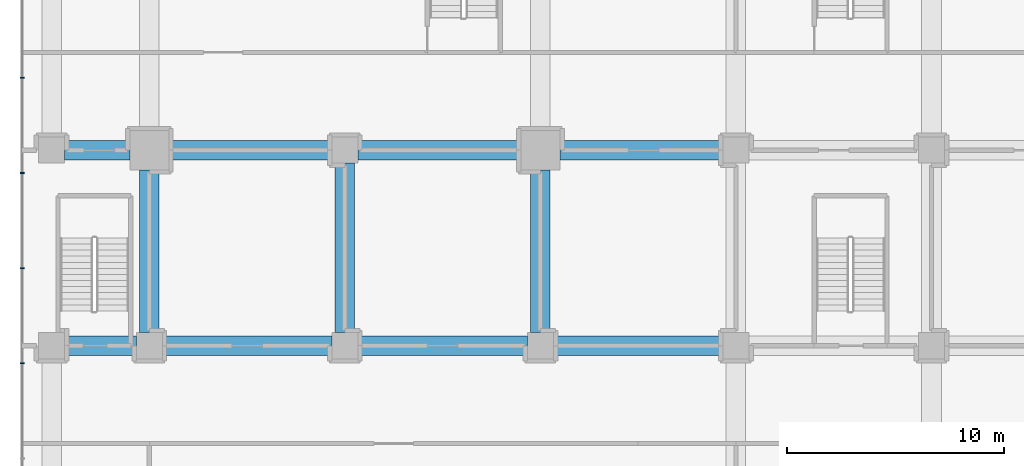
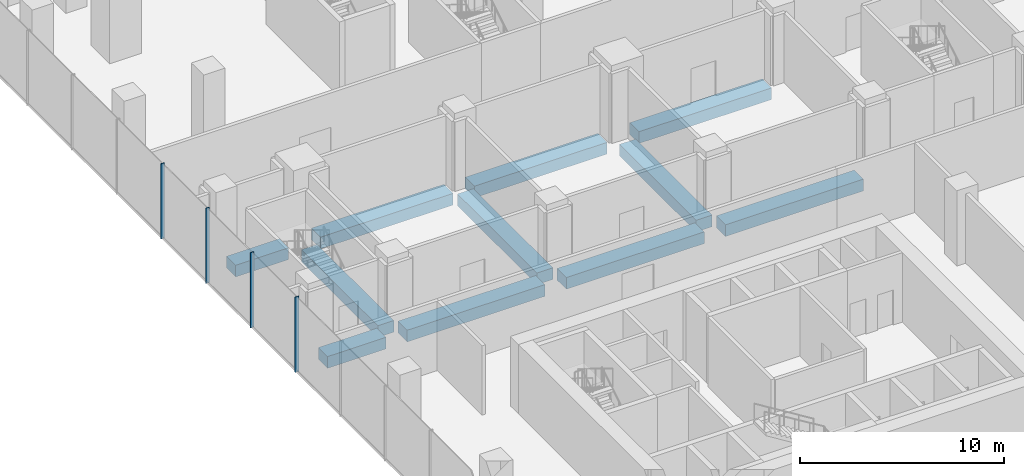
# One storey, part 10 of 43: 11 beams, 4 members, 1 element without a shape of its own.
"""IFC4 building model written with IfcOpenShell, lengths in metres."""

import ifcopenshell
import ifcopenshell.guid

model = None  # the IFC model being written
_history = None  # IfcOwnerHistory: only IFC2X3 demands one
_inside = {}  # id of a spatial element -> (the spatial element, [elements in it])
_under = {}  # id of a project, library or spatial element -> (it, [spatial elements below it])
_declared = {}  # id of a project -> (the project, [libraries it declares])
_typed = {}  # id of a type object -> (the type object, [elements of that type])
_made_of = {}  # id of a material, layer set ... -> (it, [elements and type objects made of it])


def new_model(schema):
    """Start an empty IFC model of exactly this schema.

    Asked for "IFC4X3", IfcOpenShell would pick the latest addendum, in which some entities
    have other attributes; the version numbers below select the first issue.
    IFC2X3 requires an IfcOwnerHistory on every rooted entity: one is made here for all.
    """
    global model, _history
    if schema == "IFC4X3":
        model = ifcopenshell.file(schema_version=(4, 3, 0, 0))
    else:
        model = ifcopenshell.file(schema=schema)
    _inside.clear()
    _under.clear()
    _declared.clear()
    _typed.clear()
    _made_of.clear()
    _history = None
    if model.schema == "IFC2X3":
        org = make("IfcOrganization", Name="unknown")
        user = make(
            "IfcPersonAndOrganization",
            ThePerson=make("IfcPerson", FamilyName="unknown"),
            TheOrganization=org,
        )
        app = make(
            "IfcApplication",
            ApplicationDeveloper=org,
            Version="unknown",
            ApplicationFullName="unknown",
            ApplicationIdentifier="unknown",
        )
        _history = make(
            "IfcOwnerHistory",
            OwningUser=user,
            OwningApplication=app,
            ChangeAction="ADDED",
            CreationDate=0,
        )
    return model


def make(cls, **values):
    """One entity of the class cls with the attributes given. An attribute that is None is left unset."""
    return model.create_entity(
        cls, **{name: value for name, value in values.items() if value is not None}
    )


def rooted(cls, **values):
    """An entity with a GlobalId (a new one), such as an element, a storey or a relation."""
    return make(cls, GlobalId=ifcopenshell.guid.new(), OwnerHistory=_history, **values)


def si_unit(unit_type, name, prefix=None):
    """IfcSIUnit, for example si_unit("LENGTHUNIT", "METRE", prefix="MILLI")."""
    return make("IfcSIUnit", UnitType=unit_type, Prefix=prefix, Name=name)


def assignment(units):
    """IfcUnitAssignment: the units of a project."""
    return None if units is None else make("IfcUnitAssignment", Units=units)


def point(xyz):
    """IfcCartesianPoint."""
    return None if xyz is None else make("IfcCartesianPoint", Coordinates=xyz)


def direction(xyz):
    """IfcDirection."""
    return None if xyz is None else make("IfcDirection", DirectionRatios=xyz)


def frame(location, z_axis=None, x_axis=None):
    """IfcAxis2Placement3D, a coordinate frame: its origin and axes. An axis left out is left unset."""
    return make(
        "IfcAxis2Placement3D",
        Location=point(location),
        Axis=direction(z_axis),
        RefDirection=direction(x_axis),
    )


def frame_2d(location, x_axis=None):
    """IfcAxis2Placement2D, a coordinate frame in the plane: its origin and x axis."""
    return make(
        "IfcAxis2Placement2D", Location=point(location), RefDirection=direction(x_axis)
    )


def origin():
    """The frame at (0, 0, 0) with its axes left unset."""
    return frame((0.0, 0.0, 0.0))


def origin_2d():
    """The frame at (0, 0) in the plane with its x axis left unset."""
    return frame_2d((0.0, 0.0))


def place(relative_to, where):
    """IfcLocalPlacement: puts the frame where relative to a parent placement (None: the world)."""
    return make(
        "IfcLocalPlacement", PlacementRelTo=relative_to, RelativePlacement=where
    )


def context(
    kind, dimensions, precision=None, world=None, true_north=None, identifier=None
):
    """IfcGeometricRepresentationContext, for example the 3D "Model" context."""
    return make(
        "IfcGeometricRepresentationContext",
        ContextIdentifier=identifier,
        ContextType=kind,
        CoordinateSpaceDimension=dimensions,
        Precision=precision,
        WorldCoordinateSystem=world,
        TrueNorth=true_north,
    )


def subcontext(parent, identifier, kind, view, scale=None):
    """IfcGeometricRepresentationSubContext, for example "Body" below "Model"."""
    return make(
        "IfcGeometricRepresentationSubContext",
        ContextIdentifier=identifier,
        ContextType=kind,
        ParentContext=parent,
        TargetScale=scale,
        TargetView=view,
    )


def project(units=None, contexts=None):
    """IfcProject with its units and contexts."""
    return rooted(
        "IfcProject",
        Name="project",
        RepresentationContexts=contexts,
        UnitsInContext=assignment(units),
    )


def spatial(cls, under=None, at=None, **own):
    """A site, building, storey or space (cls), placed at a placement, below another one or the project."""
    s = rooted(cls, ObjectPlacement=at, **own)
    if under is not None:
        _under.setdefault(under.id(), (under, []))[1].append(s)
    return s


def profile(cls, at=None, kind="AREA", **sizes):
    """A parametric profile (cls). Its sizes go by their IFC names, for example OverallWidth=200.0."""
    return make(cls, ProfileType=kind, Position=at, **sizes)


def rectangle(**sizes):
    """IfcRectangleProfileDef."""
    return profile("IfcRectangleProfileDef", **sizes)


def extrude(swept, where, along, depth):
    """IfcExtrudedAreaSolid: the profile swept, set in the frame where, extruded along a direction by depth."""
    return make(
        "IfcExtrudedAreaSolid",
        SweptArea=swept,
        Position=where,
        ExtrudedDirection=direction(along),
        Depth=depth,
    )


def shape(context_of_items, identifier, shape_type, items):
    """IfcShapeRepresentation: the items that make up one representation, for example the "Body"."""
    return make(
        "IfcShapeRepresentation",
        ContextOfItems=context_of_items,
        RepresentationIdentifier=identifier,
        RepresentationType=shape_type,
        Items=items,
    )


def material(Name=None, Category=None):
    """IfcMaterial."""
    return make("IfcMaterial", Name=Name, Category=Category)


def layer(
    of_material, thickness, ventilated=None, Name=None, Category=None, Priority=None
):
    """IfcMaterialLayer: one layer of a wall or slab, of a material (None: an air gap)."""
    return make(
        "IfcMaterialLayer",
        Material=of_material,
        LayerThickness=thickness,
        IsVentilated=ventilated,
        Name=Name,
        Category=Category,
        Priority=Priority,
    )


def layer_set(layers, Name=None):
    """IfcMaterialLayerSet."""
    return make("IfcMaterialLayerSet", MaterialLayers=layers, LayerSetName=Name)


def material_profile(
    of_material, cross_section, Name=None, Category=None, Priority=None
):
    """IfcMaterialProfile: a cross section and its material."""
    return make(
        "IfcMaterialProfile",
        Name=Name,
        Material=of_material,
        Profile=cross_section,
        Priority=Priority,
        Category=Category,
    )


def profile_set(profiles, Name=None, composite=None):
    """IfcMaterialProfileSet."""
    return make(
        "IfcMaterialProfileSet",
        Name=Name,
        MaterialProfiles=profiles,
        CompositeProfile=composite,
    )


def made_of(thing, what):
    """Note that an element or type object is made of a material, layer set ...; save() writes the relation."""
    if what is not None:
        _made_of.setdefault(what.id(), (what, []))[1].append(thing)
    return thing


def type_object(cls, material=None, **own):
    """A type object (cls), such as IfcWallType, which elements share."""
    return made_of(rooted(cls, **own), material)


def element(
    cls,
    number,
    at=None,
    inside=None,
    cuts=None,
    type_object=None,
    material=None,
    context=None,
    identifier="Body",
    shape_type=None,
    held_by="IfcProductDefinitionShape",
    body=None,
    shapes=None,
    **own,
):
    """One element of the class cls, such as IfcWall. Its Tag is "e" and its number.

    at: its placement. inside: the storey or other place that contains it. cuts: it is an
    opening in that element (IfcRelVoidsElement). A single representation is given by context,
    identifier, shape_type and body (its items); several are given by shapes. held_by: the class
    of the entity that holds the representations. save() writes the other relations.
    """
    e = rooted(cls, Tag="e%d" % number, ObjectPlacement=at, **own)
    if body is not None:
        shapes = [shape(context, identifier, shape_type, body)]
    if shapes is not None:
        e.Representation = make(held_by, Representations=shapes)
    if inside is not None:
        _inside.setdefault(inside.id(), (inside, []))[1].append(e)
    if cuts is not None:
        rooted(
            "IfcRelVoidsElement", RelatingBuildingElement=cuts, RelatedOpeningElement=e
        )
    if type_object is not None:
        _typed.setdefault(type_object.id(), (type_object, []))[1].append(e)
    return made_of(e, material)


def aggregate(whole, parts):
    """IfcRelAggregates: a whole, such as a stair, and the parts it consists of."""
    return rooted("IfcRelAggregates", RelatingObject=whole, RelatedObjects=parts)


def save(model, path):
    """Write the relations noted so far, then the file.

    IfcRelAggregates (storeys below a building ...), IfcRelContainedInSpatialStructure (elements
    in a storey), IfcRelDefinesByType, IfcRelAssociatesMaterial and IfcRelDeclares: one each for
    every whole, place, type object, material and project.
    """
    for whole, parts in _under.values():
        aggregate(whole, parts)
    for where, things in _inside.values():
        rooted(
            "IfcRelContainedInSpatialStructure",
            RelatedElements=things,
            RelatingStructure=where,
        )
    for kind, things in _typed.values():
        rooted("IfcRelDefinesByType", RelatedObjects=things, RelatingType=kind)
    for what, things in _made_of.values():
        rooted("IfcRelAssociatesMaterial", RelatedObjects=things, RelatingMaterial=what)
    for by, libraries in _declared.values():
        rooted("IfcRelDeclares", RelatingContext=by, RelatedDefinitions=libraries)
    model.write(path)


model = new_model("IFC4")

# Units and contexts
model_context = context("Model", 3, precision=1e-05, world=origin(), true_north=direction((0.0, 1.0)))
body_context = subcontext(model_context, "Body", "Model", "MODEL_VIEW")
ifc_project = project(units=[si_unit("LENGTHUNIT", "METRE"), si_unit("AREAUNIT", "SQUARE_METRE"), si_unit("VOLUMEUNIT", "CUBIC_METRE"), si_unit("PLANEANGLEUNIT", "RADIAN"), si_unit("MASSUNIT", "GRAM", prefix="KILO")], contexts=[model_context])

# Site, building, storey
site_placement = place(None, origin())
site = spatial("IfcSite", under=ifc_project, at=site_placement, CompositionType="ELEMENT")
building_placement = place(site_placement, origin())
building = spatial("IfcBuilding", under=site, at=building_placement, Name="Plateau Cross Towers", CompositionType="ELEMENT")
storey_placement = place(building_placement, frame((0.0, 0.0, 17.300048828125)))
storey = spatial("IfcBuildingStorey", under=building, at=storey_placement, Name="L03", CompositionType="ELEMENT", Elevation=17.300048828125)

# Curtain wall, members
ifc_material_1 = material(Name="Dark low-iron laminated glass", Category="glass")
ifc_layer = layer(ifc_material_1, 0.300048828125)
ifc_layer_set = layer_set([ifc_layer], Name="Dark low-iron laminated glass")
curtain_wall_type = type_object("IfcCurtainWallType", Name="Curtain wall structural silicone CW-C", PredefinedType="NOTDEFINED", material=ifc_layer_set)
curtain_wall_placement = place(storey_placement, origin())
curtain_wall = element("IfcCurtainWall", 1, at=curtain_wall_placement, inside=storey, type_object=curtain_wall_type, Name="ENV/P/L03/P-58_568", PredefinedType="NOTDEFINED")
ifc_material_2 = material(Name="Black anodised aluminium", Category="aluminium")
ifc_material_profile_1 = material_profile(ifc_material_2, rectangle(XDim=0.050048828125, YDim=0.199951171875, at=origin_2d()), Name="MULLION 50x200")
ifc_profile_set_1 = profile_set([ifc_material_profile_1], Name="Black anodised aluminium")
member_type = type_object("IfcMemberType", Name="Mullion 50x200 structural silicone", PredefinedType="MULLION", material=ifc_profile_set_1)
member_1_placement = place(storey_placement, frame((-5.85009765625, 39.330078125, -0.35009765625), z_axis=(0.0, 0.0, 1.0), x_axis=(0.0, -1.0, 0.0)))
member_1 = element("IfcMember", 2, at=member_1_placement, type_object=member_type, Name="CW-C mullion 5", PredefinedType="MULLION", context=body_context, shape_type="SweptSolid", body=[
    extrude(rectangle(XDim=0.050048828125, YDim=0.199951171875, at=origin_2d()), origin(), (0.0, 0.0, 1.0), 4.5),
])
member_2_placement = place(storey_placement, frame((-5.85009765625, 34.949951171875, -0.35009765625), z_axis=(0.0, 0.0, 1.0), x_axis=(0.0, -1.0, 0.0)))
member_2 = element("IfcMember", 3, at=member_2_placement, type_object=member_type, Name="CW-C mullion 6", PredefinedType="MULLION", context=body_context, shape_type="SweptSolid", body=[
    extrude(rectangle(XDim=0.050048828125, YDim=0.199951171875, at=origin_2d()), origin(), (0.0, 0.0, 1.0), 4.5),
])
member_3_placement = place(storey_placement, frame((-5.85009765625, 30.570068359375, -0.35009765625), z_axis=(0.0, 0.0, 1.0), x_axis=(0.0, -1.0, 0.0)))
member_3 = element("IfcMember", 4, at=member_3_placement, type_object=member_type, Name="CW-C mullion 7", PredefinedType="MULLION", context=body_context, shape_type="SweptSolid", body=[
    extrude(rectangle(XDim=0.050048828125, YDim=0.199951171875, at=origin_2d()), origin(), (0.0, 0.0, 1.0), 4.5),
])
member_4_placement = place(storey_placement, frame((-5.85009765625, 26.18994140625, -0.35009765625), z_axis=(0.0, 0.0, 1.0), x_axis=(0.0, -1.0, 0.0)))
member_4 = element("IfcMember", 5, at=member_4_placement, type_object=member_type, Name="CW-C mullion 8", PredefinedType="MULLION", context=body_context, shape_type="SweptSolid", body=[
    extrude(rectangle(XDim=0.050048828125, YDim=0.199951171875, at=origin_2d()), origin(), (0.0, 0.0, 1.0), 4.5),
])
aggregate(curtain_wall, [member_1, member_2, member_3, member_4])

# Beams
ifc_material_3 = material(Name="Concrete C50/60", Category="concrete")
ifc_material_profile_2 = material_profile(ifc_material_3, rectangle(XDim=0.89990234375, YDim=0.699951171875, at=origin_2d()), Name="RC 900x700")
ifc_profile_set_2 = profile_set([ifc_material_profile_2], Name="Concrete C50/60")
beam_type = type_object("IfcBeamType", Name="Podium band beam RC 900x700", PredefinedType="BEAM", material=ifc_profile_set_2)
beam_1_placement = place(storey_placement, frame((-3.89990234375, 27.0, -0.699951171875), z_axis=(1.0, 0.0, 0.0), x_axis=(0.0, 1.0, 0.0)))
element("IfcBeam", 6, at=beam_1_placement, inside=storey, type_object=beam_type, Name="PB32@L03", PredefinedType="BEAM", context=body_context, shape_type="SweptSolid", body=[
    extrude(rectangle(XDim=0.89990234375, YDim=0.699951171875, at=origin_2d()), origin(), (0.0, 0.0, 1.0), 3.2998046875),
])
for number, where, z_axis, x_axis, name in (
    (7, (0.60009765625, 27.0, -0.699951171875), (1.0, 0.0, 0.0), (0.0, 1.0, 0.0), "PB33@L03"),
    (8, (9.60009765625, 27.0, -0.699951171875), (1.0, 0.0, 0.0), (0.0, 1.0, 0.0), "PB34@L03"),
    (9, (18.60009765625, 27.0, -0.699951171875), (1.0, 0.0, 0.0), (0.0, 1.0, 0.0), "PB35@L03"),
):
    element("IfcBeam", number, at=place(storey_placement, frame(where, z_axis=z_axis, x_axis=x_axis)), inside=storey, type_object=beam_type, Name=name, PredefinedType="BEAM", context=body_context, shape_type="SweptSolid", body=[
        extrude(rectangle(XDim=0.89990234375, YDim=0.699951171875, at=origin_2d()), origin(), (0.0, 0.0, 1.0), 7.7998046875),
    ])
beam_2_placement = place(storey_placement, frame((-3.89990234375, 36.0, -0.699951171875), z_axis=(1.0, 0.0, 0.0), x_axis=(0.0, 1.0, 0.0)))
element("IfcBeam", 10, at=beam_2_placement, inside=storey, type_object=beam_type, Name="PB45@L03", PredefinedType="BEAM", context=body_context, shape_type="SweptSolid", body=[
    extrude(rectangle(XDim=0.89990234375, YDim=0.699951171875, at=origin_2d()), origin(), (0.0, 0.0, 1.0), 3.0),
])
for number, where, z_axis, x_axis, name in (
    (11, (0.89990234375, 36.0, -0.699951171875), (1.0, 0.0, 0.0), (0.0, 1.0, 0.0), "PB46@L03"),
    (12, (9.60009765625, 36.0, -0.699951171875), (1.0, 0.0, 0.0), (0.0, 1.0, 0.0), "PB47@L03"),
    (13, (18.89990234375, 36.0, -0.699951171875), (1.0, 0.0, 0.0), (0.0, 1.0, 0.0), "PB48@L03"),
    (14, (0.0, 27.60009765625, -0.699951171875), (0.0, 1.0, 0.0), (-1.0, 0.0, 0.0), "PB102@L03"),
):
    element("IfcBeam", number, at=place(storey_placement, frame(where, z_axis=z_axis, x_axis=x_axis)), inside=storey, type_object=beam_type, Name=name, PredefinedType="BEAM", context=body_context, shape_type="SweptSolid", body=[
        extrude(rectangle(XDim=0.89990234375, YDim=0.699951171875, at=origin_2d()), origin(), (0.0, 0.0, 1.0), 7.5),
    ])
beam_3_placement = place(storey_placement, frame((9.0, 27.60009765625, -0.699951171875), z_axis=(0.0, 1.0, 0.0), x_axis=(-1.0, 0.0, 0.0)))
element("IfcBeam", 15, at=beam_3_placement, inside=storey, type_object=beam_type, Name="PB107@L03", PredefinedType="BEAM", context=body_context, shape_type="SweptSolid", body=[
    extrude(rectangle(XDim=0.89990234375, YDim=0.699951171875, at=origin_2d()), origin(), (0.0, 0.0, 1.0), 7.7998046875),
])
beam_4_placement = place(storey_placement, frame((18.0, 27.60009765625, -0.699951171875), z_axis=(0.0, 1.0, 0.0), x_axis=(-1.0, 0.0, 0.0)))
element("IfcBeam", 16, at=beam_4_placement, inside=storey, type_object=beam_type, Name="PB110@L03", PredefinedType="BEAM", context=body_context, shape_type="SweptSolid", body=[
    extrude(rectangle(XDim=0.89990234375, YDim=0.699951171875, at=origin_2d()), origin(), (0.0, 0.0, 1.0), 7.5),
])

save(model, "model.ifc")
